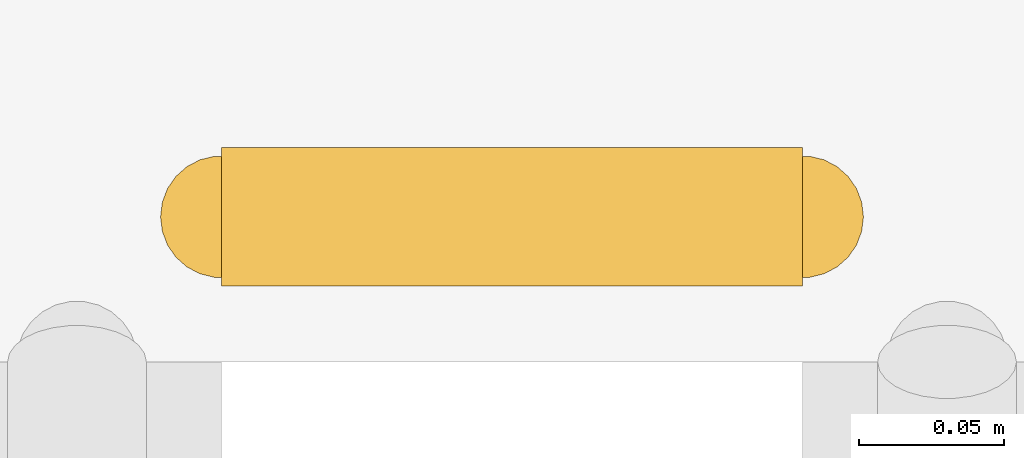
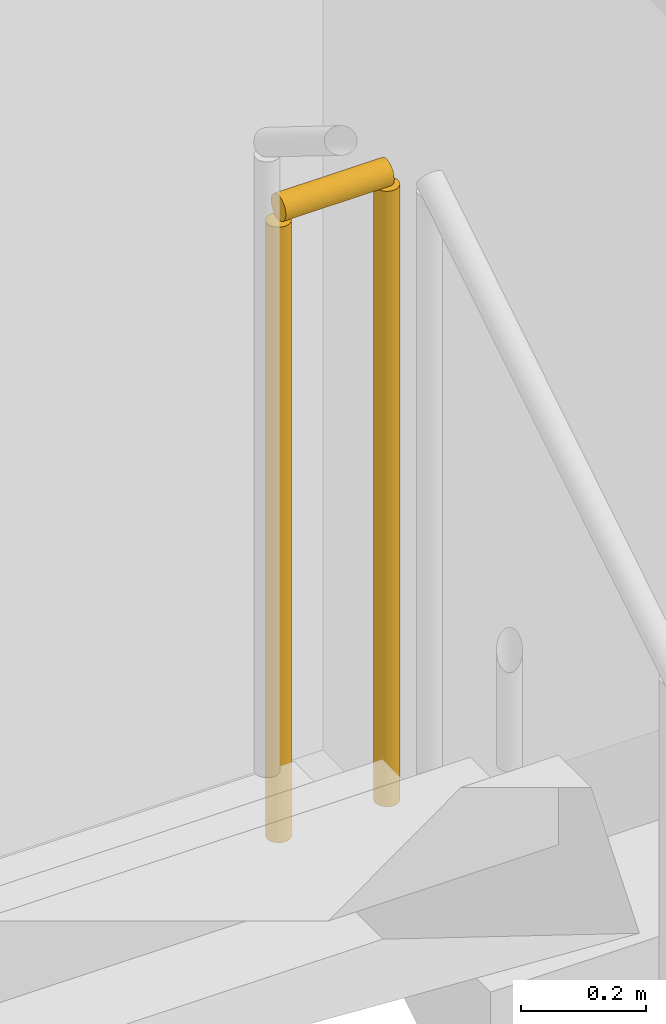
# One storey, part 13 of 13: 1 railing.
"""IFC4 building model written with IfcOpenShell, lengths in metres."""

from ifc_helpers import new_model, si_unit, direction, frame, origin, origin_2d, place, context, subcontext, project, spatial, circle, extrude, material, type_object, element, save


model = new_model("IFC4")

# Units and contexts
model_context = context("Model", 3, precision=1e-05, world=origin(), true_north=direction((0.0, 1.0)))
body_context = subcontext(model_context, "Body", "Model", "MODEL_VIEW")
ifc_project = project(units=[si_unit("LENGTHUNIT", "METRE"), si_unit("AREAUNIT", "SQUARE_METRE"), si_unit("VOLUMEUNIT", "CUBIC_METRE"), si_unit("PLANEANGLEUNIT", "RADIAN"), si_unit("MASSUNIT", "GRAM", prefix="KILO")], contexts=[model_context])

# Site, building, storey
site_placement = place(None, origin())
site = spatial("IfcSite", under=ifc_project, at=site_placement, CompositionType="ELEMENT")
building_placement = place(site_placement, origin())
building = spatial("IfcBuilding", under=site, at=building_placement, Name="Ochreholt Gables", CompositionType="ELEMENT")
storey_placement = place(building_placement, frame((0.0, 0.0, 98.39990234375)))
storey = spatial("IfcBuildingStorey", under=building, at=storey_placement, Name="L25", CompositionType="ELEMENT", Elevation=98.39990234375)

# Railing
ifc_material = material(Name="Painted Steel Stair Guardrail", Category="steel")
railing_type = type_object("IfcRailingType", Name="RL-ST-GUARD", PredefinedType="GUARDRAIL", material=ifc_material)
railing_placement = place(storey_placement, frame((26.60009765625, 35.612060546875, 2.10009765625)))
element("IfcRailing", 1, at=railing_placement, inside=storey, type_object=railing_type, Name="L25 ST-2 stair guard 2", PredefinedType="GUARDRAIL", context=body_context, shape_type="SweptSolid", body=[
    extrude(circle(Radius=0.02392578125, at=origin_2d()), frame((0.0, 0.0, 1.22607421875), z_axis=(-1.0, 0.0, 0.0), x_axis=(0.0, -1.0, 0.0)), (0.0, 0.0, 1.0), 0.2001953125),
    extrude(circle(Radius=0.02099609375, at=origin_2d()), origin(), (0.0, 0.0, 1.0), 1.201904296875),
    extrude(circle(Radius=0.02099609375, at=origin_2d()), frame((-0.2001953125, 0.0, 0.0)), (0.0, 0.0, 1.0), 1.201904296875),
])

save(model, "model.ifc")
